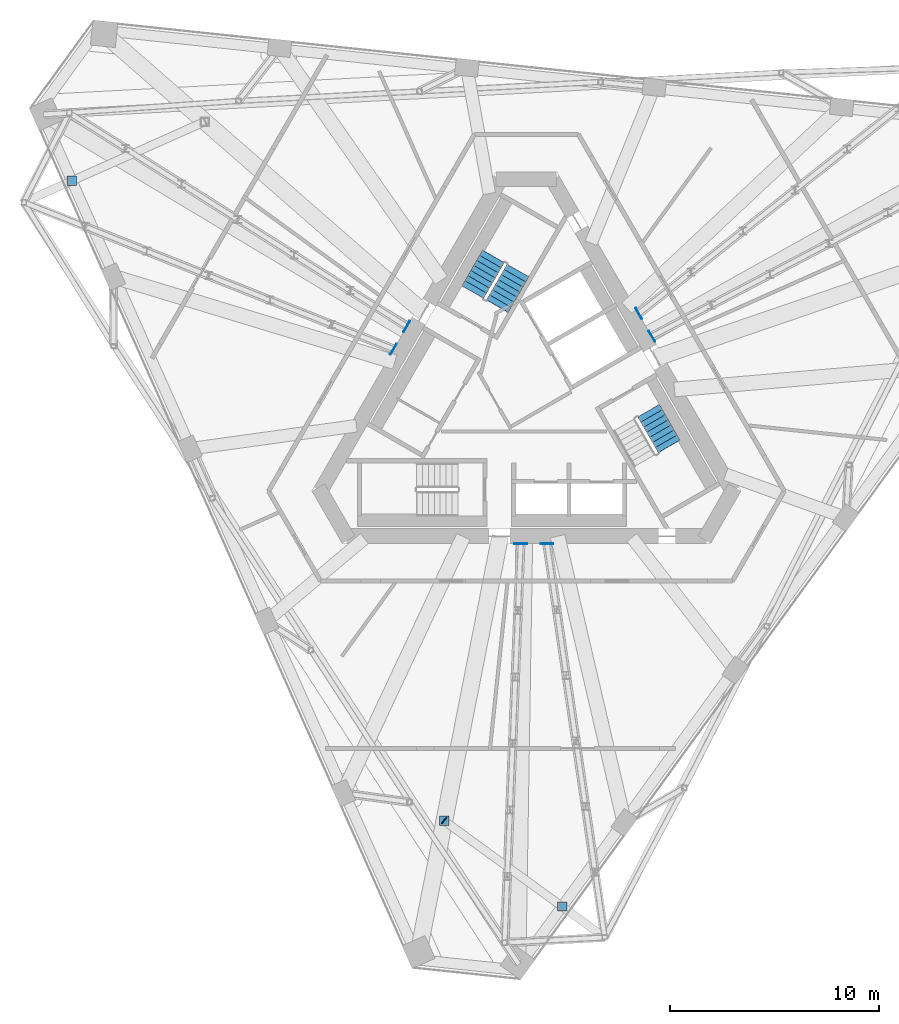
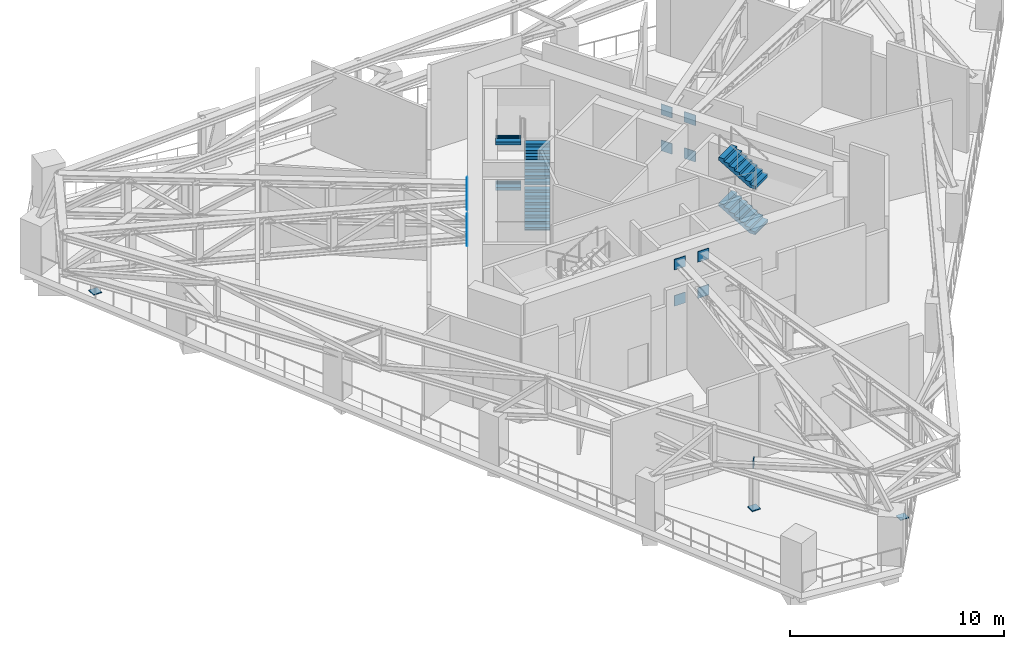
# One storey, part 14 of 20: 16 discrete accessories, 6 stair flights, 2 elements without a shape of their own.
"""IFC4 building model written with IfcOpenShell, lengths in metres."""

from ifc_helpers import new_model, si_unit, direction, frame, origin, origin_2d, place, context, subcontext, project, spatial, polyline, rectangle, outline, extrude, material, layer, layer_set, type_object, element, aggregate, save


model = new_model("IFC4")

# Units and contexts
model_context = context("Model", 3, precision=1e-05, world=origin(), true_north=direction((0.0, 1.0)))
body_context = subcontext(model_context, "Body", "Model", "MODEL_VIEW")
ifc_project = project(units=[si_unit("LENGTHUNIT", "METRE"), si_unit("AREAUNIT", "SQUARE_METRE"), si_unit("VOLUMEUNIT", "CUBIC_METRE"), si_unit("PLANEANGLEUNIT", "RADIAN"), si_unit("MASSUNIT", "GRAM", prefix="KILO")], contexts=[model_context])

# Site, building, storey
site_placement = place(None, origin())
site = spatial("IfcSite", under=ifc_project, at=site_placement, CompositionType="ELEMENT")
building_placement = place(site_placement, origin())
building = spatial("IfcBuilding", under=site, at=building_placement, Name="Tramontana Tower", CompositionType="ELEMENT")
storey_placement = place(building_placement, frame((0.0, 0.0, 269.199951171875)))
storey = spatial("IfcBuildingStorey", under=building, at=storey_placement, Name="L63", CompositionType="ELEMENT", Elevation=269.199951171875)

# Stair, stair flights
ifc_material_1 = material(Name="Concrete 40 MPa", Category="concrete")
stair_type = type_object("IfcStairType", Name="EXIT STAIR 32 RISERS", PredefinedType="HALF_TURN_STAIR", material=ifc_material_1)
stair_1_placement = place(storey_placement, origin())
stair_1 = element("IfcStair", 1, at=stair_1_placement, inside=storey, type_object=stair_type, Name="L63 Exit stair ST1", PredefinedType="HALF_TURN_STAIR")
ifc_material_2 = material(Name="Concrete 40 MPa", Category="concrete")
ifc_layer_1 = layer(ifc_material_2, 0.14990234375)
ifc_layer_set_1 = layer_set([ifc_layer_1], Name="EXIT STAIR FLIGHT")
stair_flight_type = type_object("IfcStairFlightType", Name="EXIT STAIR FLIGHT", PredefinedType="STRAIGHT", material=ifc_layer_set_1)
stair_flight_1_placement = place(storey_placement, frame((-1.39111328125, 4.590576171875, 0.0), z_axis=(0.0, 0.0, 1.0), x_axis=(0.5, 0.866025403784, 0.0)))
stair_flight_1 = element("IfcStairFlight", 2, at=stair_flight_1_placement, type_object=stair_flight_type, Name="ST1 flight 1", NumberOfRisers=8, NumberOfTreads=7, PredefinedType="STRAIGHT", RiserHeight=0.1625, TreadLength=0.28, context=body_context, shape_type="SweptSolid", body=[
    extrude(outline(polyline([(-0.006103515625, 0.0), (-0.006103515625, 0.0400390625), (0.0, 0.0400390625), (0.0, 0.16259765625), (0.280029296875, 0.16259765625), (0.280029296875, 0.324951171875), (0.56005859375, 0.324951171875), (0.56005859375, 0.487548828125), (0.840087890625, 0.487548828125), (0.840087890625, 0.64990234375), (1.1201171875, 0.64990234375), (1.1201171875, 0.8125), (1.39990234375, 0.8125), (1.39990234375, 0.97509765625), (1.679931640625, 0.97509765625), (1.679931640625, 1.137451171875), (1.9599609375, 1.137451171875), (1.966064453125, 1.137451171875), (1.966064453125, 0.964111328125), (0.3046875, 0.0), (-0.006103515625, 0.0)])), frame((0.0, 0.60009765625, 0.0), z_axis=(0.0, -1.0, 0.0), x_axis=(1.0, 0.0, 0.0)), (0.0, 0.0, 1.0), 1.199951171875),
])
stair_flight_2_placement = place(storey_placement, frame((-1.580322265625, 6.962890625, 1.300048828125), z_axis=(0.0, 0.0, 1.0), x_axis=(-0.5, -0.866025403784, 0.0)))
stair_flight_2 = element("IfcStairFlight", 3, at=stair_flight_2_placement, type_object=stair_flight_type, Name="ST1 flight 2", NumberOfRisers=8, NumberOfTreads=7, PredefinedType="STRAIGHT", RiserHeight=0.1625, TreadLength=0.28, context=body_context, shape_type="SweptSolid", body=[
    extrude(outline(polyline([(-0.006103515625, 0.0), (-0.006103515625, 0.0400390625), (0.0, 0.0400390625), (0.0, 0.16259765625), (0.280029296875, 0.16259765625), (0.280029296875, 0.324951171875), (0.56005859375, 0.324951171875), (0.56005859375, 0.487548828125), (0.840087890625, 0.487548828125), (0.840087890625, 0.64990234375), (1.1201171875, 0.64990234375), (1.1201171875, 0.8125), (1.39990234375, 0.8125), (1.39990234375, 0.97509765625), (1.679931640625, 0.97509765625), (1.679931640625, 1.137451171875), (1.9599609375, 1.137451171875), (1.966064453125, 1.137451171875), (1.966064453125, 0.964111328125), (0.3046875, 0.0), (-0.006103515625, 0.0)])), frame((0.0, 0.60009765625, 0.0), z_axis=(0.0, -1.0, 0.0), x_axis=(1.0, 0.0, 0.0)), (0.0, 0.0, 1.0), 1.199951171875),
])
stair_flight_3_placement = place(storey_placement, frame((-1.39111328125, 4.590576171875, 2.60009765625), z_axis=(0.0, 0.0, 1.0), x_axis=(0.5, 0.866025403784, 0.0)))
stair_flight_3 = element("IfcStairFlight", 4, at=stair_flight_3_placement, type_object=stair_flight_type, Name="ST1 flight 3", NumberOfRisers=8, NumberOfTreads=7, PredefinedType="STRAIGHT", RiserHeight=0.1625, TreadLength=0.28, context=body_context, shape_type="SweptSolid", body=[
    extrude(outline(polyline([(-0.006103515625, 0.0), (-0.006103515625, 0.0400390625), (0.0, 0.0400390625), (0.0, 0.16259765625), (0.280029296875, 0.16259765625), (0.280029296875, 0.324951171875), (0.56005859375, 0.324951171875), (0.56005859375, 0.487548828125), (0.840087890625, 0.487548828125), (0.840087890625, 0.64990234375), (1.1201171875, 0.64990234375), (1.1201171875, 0.8125), (1.39990234375, 0.8125), (1.39990234375, 0.97509765625), (1.679931640625, 0.97509765625), (1.679931640625, 1.137451171875), (1.9599609375, 1.137451171875), (1.966064453125, 1.137451171875), (1.966064453125, 0.964111328125), (0.3046875, 0.0), (-0.006103515625, 0.0)])), frame((0.0, 0.60009765625, 0.0), z_axis=(0.0, -1.0, 0.0), x_axis=(1.0, 0.0, 0.0)), (0.0, 0.0, 1.0), 1.199951171875),
])
stair_flight_4_placement = place(storey_placement, frame((-1.580322265625, 6.962890625, 3.900146484375), z_axis=(0.0, 0.0, 1.0), x_axis=(-0.5, -0.866025403784, 0.0)))
stair_flight_4 = element("IfcStairFlight", 5, at=stair_flight_4_placement, type_object=stair_flight_type, Name="ST1 flight 4", NumberOfRisers=8, NumberOfTreads=7, PredefinedType="STRAIGHT", RiserHeight=0.1625, TreadLength=0.28, context=body_context, shape_type="SweptSolid", body=[
    extrude(outline(polyline([(-0.006103515625, 0.0), (-0.006103515625, 0.0400390625), (0.0, 0.0400390625), (0.0, 0.16259765625), (0.280029296875, 0.16259765625), (0.280029296875, 0.324951171875), (0.56005859375, 0.324951171875), (0.56005859375, 0.487548828125), (0.840087890625, 0.487548828125), (0.840087890625, 0.64990234375), (1.1201171875, 0.64990234375), (1.1201171875, 0.8125), (1.39990234375, 0.8125), (1.39990234375, 0.97509765625), (1.679931640625, 0.97509765625), (1.679931640625, 1.137451171875), (1.9599609375, 1.137451171875), (1.966064453125, 1.137451171875), (1.966064453125, 0.964111328125), (0.3046875, 0.0), (-0.006103515625, 0.0)])), frame((0.0, 0.60009765625, 0.0), z_axis=(0.0, -1.0, 0.0), x_axis=(1.0, 0.0, 0.0)), (0.0, 0.0, 1.0), 1.199951171875),
])
aggregate(stair_1, [stair_flight_1, stair_flight_2, stair_flight_3, stair_flight_4])

stair_2_placement = place(storey_placement, origin())
stair_2 = element("IfcStair", 6, at=stair_2_placement, inside=storey, type_object=stair_type, Name="L63 Exit stair ST3", PredefinedType="HALF_TURN_STAIR")
stair_flight_5_placement = place(storey_placement, frame((6.8203125, -2.113037109375, 1.300048828125), z_axis=(0.0, 0.0, 1.0), x_axis=(-0.5, 0.866025403784, 0.0)))
stair_flight_5 = element("IfcStairFlight", 7, at=stair_flight_5_placement, type_object=stair_flight_type, Name="ST3 flight 2", NumberOfRisers=8, NumberOfTreads=7, PredefinedType="STRAIGHT", RiserHeight=0.1625, TreadLength=0.28, context=body_context, shape_type="SweptSolid", body=[
    extrude(outline(polyline([(-0.006103515625, 0.0), (-0.006103515625, 0.0400390625), (0.0, 0.0400390625), (0.0, 0.16259765625), (0.280029296875, 0.16259765625), (0.280029296875, 0.324951171875), (0.56005859375, 0.324951171875), (0.56005859375, 0.487548828125), (0.840087890625, 0.487548828125), (0.840087890625, 0.64990234375), (1.1201171875, 0.64990234375), (1.1201171875, 0.8125), (1.39990234375, 0.8125), (1.39990234375, 0.97509765625), (1.679931640625, 0.97509765625), (1.679931640625, 1.137451171875), (1.9599609375, 1.137451171875), (1.966064453125, 1.137451171875), (1.966064453125, 0.964111328125), (0.3046875, 0.0), (-0.006103515625, 0.0)])), frame((0.0, 0.60009765625, 0.0), z_axis=(0.0, -1.0, 0.0), x_axis=(1.0, 0.0, 0.0)), (0.0, 0.0, 1.0), 1.199951171875),
])
stair_flight_6_placement = place(storey_placement, frame((6.8203125, -2.113037109375, 3.900146484375), z_axis=(0.0, 0.0, 1.0), x_axis=(-0.5, 0.866025403784, 0.0)))
stair_flight_6 = element("IfcStairFlight", 8, at=stair_flight_6_placement, type_object=stair_flight_type, Name="ST3 flight 4", NumberOfRisers=8, NumberOfTreads=7, PredefinedType="STRAIGHT", RiserHeight=0.1625, TreadLength=0.28, context=body_context, shape_type="SweptSolid", body=[
    extrude(outline(polyline([(-0.006103515625, 0.0), (-0.006103515625, 0.0400390625), (0.0, 0.0400390625), (0.0, 0.16259765625), (0.280029296875, 0.16259765625), (0.280029296875, 0.324951171875), (0.56005859375, 0.324951171875), (0.56005859375, 0.487548828125), (0.840087890625, 0.487548828125), (0.840087890625, 0.64990234375), (1.1201171875, 0.64990234375), (1.1201171875, 0.8125), (1.39990234375, 0.8125), (1.39990234375, 0.97509765625), (1.679931640625, 0.97509765625), (1.679931640625, 1.137451171875), (1.9599609375, 1.137451171875), (1.966064453125, 1.137451171875), (1.966064453125, 0.964111328125), (0.3046875, 0.0), (-0.006103515625, 0.0)])), frame((0.0, 0.60009765625, 0.0), z_axis=(0.0, -1.0, 0.0), x_axis=(1.0, 0.0, 0.0)), (0.0, 0.0, 1.0), 1.199951171875),
])
aggregate(stair_2, [stair_flight_5, stair_flight_6])

# Discrete accessories
ifc_material_3 = material(Name="Steel ASTM A572 Grade 50", Category="steel")
ifc_layer_2 = layer(ifc_material_3, 0.0400390625)
ifc_layer_set_2 = layer_set([ifc_layer_2], Name="Base plate 450X450X40")
discrete_accessory_type_1 = type_object("IfcDiscreteAccessoryType", Name="Base plate 450X450X40", PredefinedType="ANCHORPLATE", material=ifc_layer_set_2)
for number, where, z_axis, x_axis, name in (
    (9, (-21.731201171875, 10.577880859375, 0.0), (0.0, 0.0, 1.0), (1.0, 0.0, 0.0), "Transfer truss post base plate C7K1.1"),
    (10, (1.704833984375, -24.108642578125, 0.0), (0.0, 0.0, 1.0), (1.0, 0.0, 0.0), "Transfer truss post base plate C7K3.1"),
    (11, (-3.92529296875, -20.01806640625, 0.0), (0.0, 0.0, 1.0), (1.0, 0.0, 0.0), "Transfer truss post base plate C7K3.2"),
):
    element("IfcDiscreteAccessory", number, at=place(storey_placement, frame(where, z_axis=z_axis, x_axis=x_axis)), inside=storey, type_object=discrete_accessory_type_1, Name=name, PredefinedType="ANCHORPLATE", context=body_context, shape_type="SweptSolid", body=[
        extrude(rectangle(XDim=0.449951171875, YDim=0.449951171875, at=origin_2d()), origin(), (0.0, 0.0, 1.0), 0.0400390625),
    ])
ifc_material_4 = material(Name="Steel ASTM A572 Grade 50", Category="steel")
ifc_layer_3 = layer(ifc_material_4, 0.0400390625)
ifc_layer_set_3 = layer_set([ifc_layer_3], Name="Cast-in plate 600X600X40")
discrete_accessory_type_2 = type_object("IfcDiscreteAccessoryType", Name="Cast-in plate 600X600X40", PredefinedType="ANCHORPLATE", material=ifc_layer_set_3)
for number, where, z_axis, x_axis, name in (
    (12, (-0.273193359375, -6.77001953125, 2.293701171875), (0.0, 0.0, 1.0), (1.0, 0.0, 0.0), "Cast-in plate Transfer truss 1 bottom chord"),
    (13, (-0.273193359375, -6.77001953125, 4.356201171875), (0.0, 0.0, 1.0), (1.0, 0.0, 0.0), "Cast-in plate Transfer truss 1 top chord"),
    (14, (0.98681640625, -6.77001953125, 2.293701171875), (0.0, 0.0, 1.0), (1.0, 0.0, 0.0), "Cast-in plate Transfer truss 2 bottom chord"),
    (15, (0.98681640625, -6.77001953125, 4.356201171875), (0.0, 0.0, 1.0), (1.0, 0.0, 0.0), "Cast-in plate Transfer truss 2 top chord"),
    (16, (5.99951171875, 3.1484375, 2.293701171875), (0.0, 0.0, 1.0), (-0.5, 0.866025403784, 0.0), "Cast-in plate Transfer truss 3 bottom chord"),
    (17, (5.99951171875, 3.1484375, 4.356201171875), (0.0, 0.0, 1.0), (-0.5, 0.866025403784, 0.0), "Cast-in plate Transfer truss 3 top chord"),
    (18, (5.36962890625, 4.23974609375, 2.293701171875), (0.0, 0.0, 1.0), (-0.5, 0.866025403784, 0.0), "Cast-in plate Transfer truss 4 bottom chord"),
    (19, (5.36962890625, 4.23974609375, 4.356201171875), (0.0, 0.0, 1.0), (-0.5, 0.866025403784, 0.0), "Cast-in plate Transfer truss 4 top chord"),
    (20, (-5.726318359375, 3.62158203125, 2.293701171875), (0.0, 0.0, 1.0), (-0.5, -0.866025403784, 0.0), "Cast-in plate Transfer truss 5 bottom chord"),
    (21, (-5.726318359375, 3.62158203125, 4.356201171875), (0.0, 0.0, 1.0), (-0.5, -0.866025403784, 0.0), "Cast-in plate Transfer truss 5 top chord"),
    (22, (-6.3564453125, 2.5302734375, 2.293701171875), (0.0, 0.0, 1.0), (-0.5, -0.866025403784, 0.0), "Cast-in plate Transfer truss 6 bottom chord"),
    (23, (-6.3564453125, 2.5302734375, 4.356201171875), (0.0, 0.0, 1.0), (-0.5, -0.866025403784, 0.0), "Cast-in plate Transfer truss 6 top chord"),
):
    element("IfcDiscreteAccessory", number, at=place(storey_placement, frame(where, z_axis=z_axis, x_axis=x_axis)), inside=storey, type_object=discrete_accessory_type_2, Name=name, PredefinedType="ANCHORPLATE", context=body_context, shape_type="SweptSolid", body=[
        extrude(rectangle(XDim=0.60009765625, YDim=0.0400390625, at=origin_2d()), origin(), (0.0, 0.0, 1.0), 0.60009765625),
    ])
ifc_material_5 = material(Name="Steel ASTM A572 Grade 50", Category="steel")
ifc_layer_4 = layer(ifc_material_5, 0.0400390625)
ifc_layer_set_4 = layer_set([ifc_layer_4], Name="End plate 397X387X40")
discrete_accessory_type_3 = type_object("IfcDiscreteAccessoryType", Name="End plate 397X387X40", PredefinedType="ANCHORPLATE", material=ifc_layer_set_4)
discrete_accessory_placement = place(storey_placement, frame((-3.94140625, -20.00634765625, 2.39990234375), z_axis=(0.0, 0.0, 1.0), x_axis=(0.587785252292, 0.809016994375, 0.0)))
element("IfcDiscreteAccessory", 24, at=discrete_accessory_placement, inside=storey, type_object=discrete_accessory_type_3, Name="Transfer truss girder end plate C7K3.2", PredefinedType="ANCHORPLATE", context=body_context, shape_type="SweptSolid", body=[
    extrude(rectangle(XDim=0.39697265625, YDim=0.0400390625, at=origin_2d()), origin(), (0.0, 0.0, 1.0), 0.387451171875),
])

save(model, "model.ifc")
